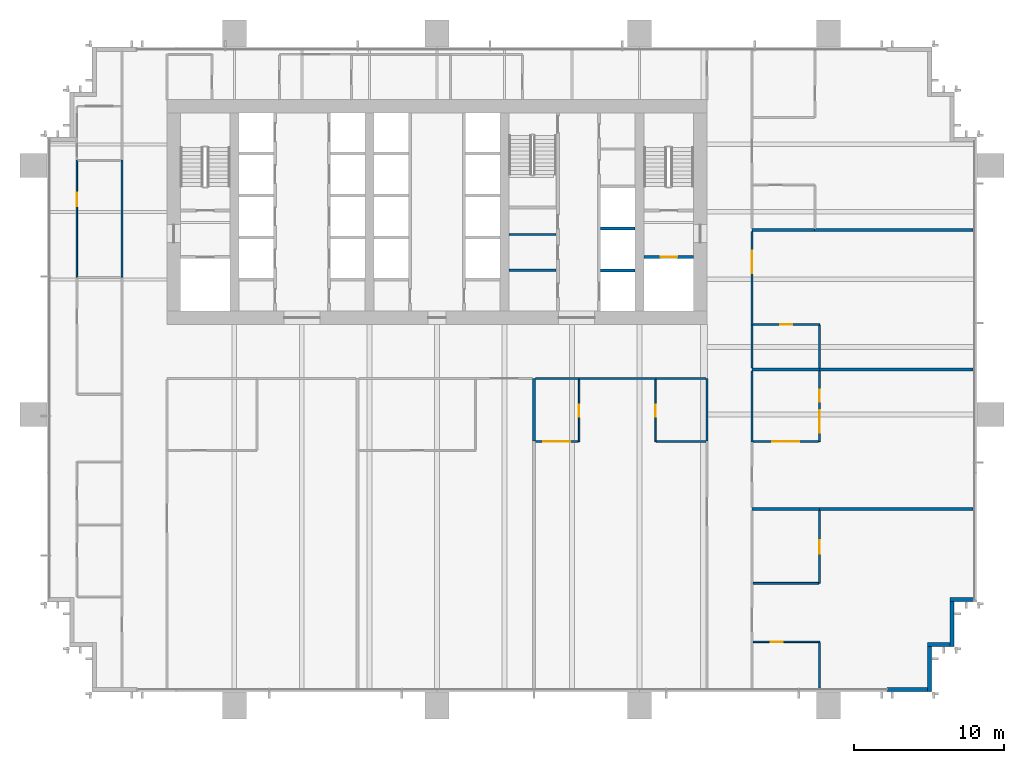
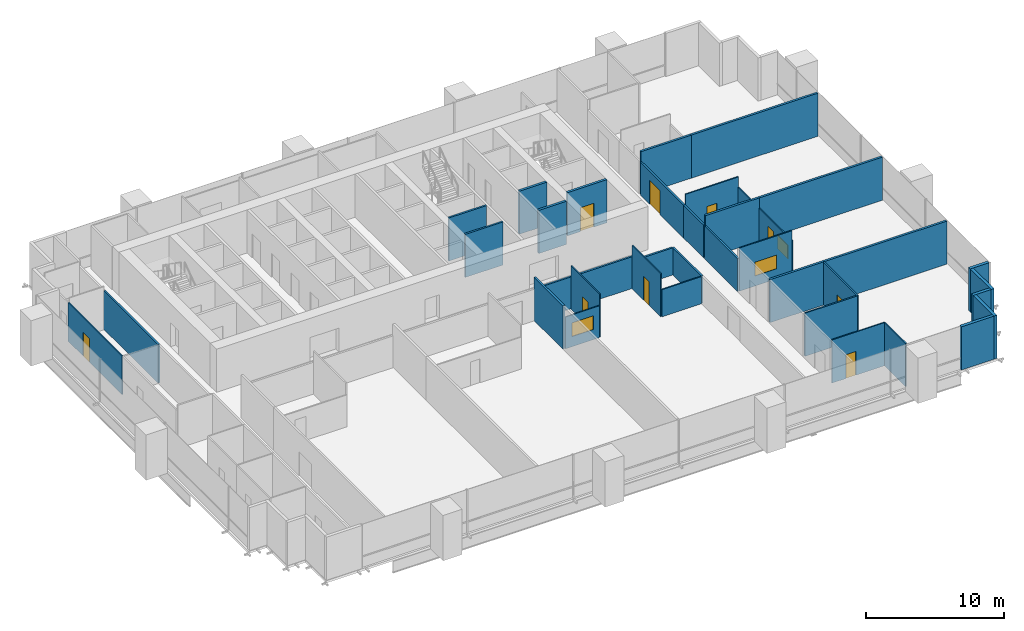
# One storey, part 13 of 17: 38 walls, 9 doors, 3 windows, 12 openings.
"""IFC4 building model written with IfcOpenShell, lengths in metres."""

from ifc_helpers import new_model, si_unit, direction, frame, frame_2d, origin, place, context, subcontext, project, spatial, rectangle, extrude, material, layer, layer_set, type_object, element, fill, save


model = new_model("IFC4")

# Units and contexts
model_context = context("Model", 3, precision=1e-05, world=origin(), true_north=direction((0.0, 1.0)))
body_context = subcontext(model_context, "Body", "Model", "MODEL_VIEW")
ifc_project = project(units=[si_unit("LENGTHUNIT", "METRE"), si_unit("AREAUNIT", "SQUARE_METRE"), si_unit("VOLUMEUNIT", "CUBIC_METRE"), si_unit("PLANEANGLEUNIT", "RADIAN"), si_unit("MASSUNIT", "GRAM", prefix="KILO")], contexts=[model_context])

# Site, building, storey
site_placement = place(None, origin())
site = spatial("IfcSite", under=ifc_project, at=site_placement, CompositionType="ELEMENT")
building_placement = place(site_placement, origin())
building = spatial("IfcBuilding", under=site, at=building_placement, Name="Rattan Terrace Tower", CompositionType="ELEMENT")
storey_placement = place(building_placement, frame((0.0, 0.0, 107.699951171875)))
storey = spatial("IfcBuildingStorey", under=building, at=storey_placement, Name="L24", CompositionType="ELEMENT", Elevation=107.699951171875)

# Walls
ifc_material_1 = material(Name="Gypsum board partition")
ifc_layer_1 = layer(ifc_material_1, 0.14990234375)
ifc_layer_set_1 = layer_set([ifc_layer_1], Name="Core partition 150")
wall_type_1 = type_object("IfcWallType", Name="Core partition 150", PredefinedType="PARTITIONING", material=ifc_layer_set_1)
for number, where, z_axis, x_axis, name in (
    (1, (4.800048828125, -3.8798828125, 0.0), (0.0, 0.0, 1.0), (1.0, 0.0, 0.0), "Toilet wall"),
    (2, (4.800048828125, -1.5, 0.0), (0.0, 0.0, 1.0), (1.0, 0.0, 0.0), "Toilet wall"),
):
    element("IfcWall", number, at=place(storey_placement, frame(where, z_axis=z_axis, x_axis=x_axis)), inside=storey, type_object=wall_type_1, Name=name, PredefinedType="PARTITIONING", context=body_context, shape_type="SweptSolid", body=[
        extrude(rectangle(XDim=3.14990234375, YDim=0.14990234375, at=frame_2d((1.574951171875, 0.0))), origin(), (0.0, 0.0, 1.0), 3.800048828125),
    ])

# Wall, opening, door
ifc_material_2 = material(Name="Gypsum board partition")
ifc_layer_2 = layer(ifc_material_2, 0.199951171875)
ifc_layer_set_2 = layer_set([ifc_layer_2], Name="Core partition 200")
wall_type_2 = type_object("IfcWallType", Name="Core partition 200", PredefinedType="PARTITIONING", material=ifc_layer_set_2)
wall_1_placement = place(storey_placement, frame((13.800048828125, -3.0, 0.0), z_axis=(0.0, 0.0, 1.0), x_axis=(1.0, 0.0, 0.0)))
wall_1 = element("IfcWall", 3, at=wall_1_placement, inside=storey, type_object=wall_type_2, Name="Fire-fighting lobby wall", PredefinedType="PARTITIONING", context=body_context, shape_type="SweptSolid", body=[
    extrude(rectangle(XDim=3.300048828125, YDim=0.199951171875, at=frame_2d((1.64990234375, 0.0))), origin(), (0.0, 0.0, 1.0), 3.800048828125),
])
opening_1_placement = place(wall_1_placement, frame((1.10009765625, 0.0, 0.0)))
opening_1 = element("IfcOpeningElement", 4, at=opening_1_placement, cuts=wall_1, Name="Opening L24-LD-FF2", PredefinedType="OPENING", context=body_context, shape_type="SweptSolid", body=[
    extrude(rectangle(XDim=1.10009765625, YDim=2.10009765625, at=frame_2d((0.550048828125, 1.050048828125))), frame((0.0, 0.110595703125, 0.0), z_axis=(0.0, -1.0, 0.0), x_axis=(1.0, 0.0, 0.0)), (0.0, 0.0, 1.0), 0.220947265625),
])
ifc_material_3 = material(Name="Brushed stainless landing door panel")
door_type_1 = type_object("IfcDoorType", Name="Core lift landing door 1100", OperationType="DOUBLE_DOOR_SLIDING", PredefinedType="DOOR", material=ifc_material_3)
door_1_placement = place(opening_1_placement, origin())
door_1 = element("IfcDoor", 5, at=door_1_placement, inside=storey, type_object=door_type_1, Name="Door L24-LD-FF2", OperationType="DOUBLE_DOOR_SLIDING", OverallHeight=2.10009765625, OverallWidth=1.10009765625, PredefinedType="DOOR", context=body_context, shape_type="SweptSolid", body=[
    extrude(rectangle(XDim=1.10009765625, YDim=2.10009765625, at=frame_2d((0.550048828125, 1.050048828125))), frame((0.0, 0.02490234375, 0.0), z_axis=(0.0, -1.0, 0.0), x_axis=(1.0, 0.0, 0.0)), (0.0, 0.0, 1.0), 0.050048828125),
])
fill(opening_1, door_1)

# Walls
ifc_material_4 = material(Name="Insulated aluminium-clad stud wall", Category="aluminium")
ifc_layer_3 = layer(ifc_material_4, 0.25)
ifc_layer_set_3 = layer_set([ifc_layer_3], Name="Facade Riser Wall 250")
wall_type_3 = type_object("IfcWallType", Name="Facade Riser Wall 250", PredefinedType="SOLIDWALL", material=ifc_layer_set_3)
wall_2_placement = place(storey_placement, frame((30.0, -31.830078125, 0.0), z_axis=(0.0, 0.0, 1.0), x_axis=(1.0, 0.0, 0.0)))
element("IfcWall", 6, at=wall_2_placement, inside=storey, type_object=wall_type_3, Name="Riser wall L24-1", PredefinedType="SOLIDWALL", context=body_context, shape_type="SweptSolid", body=[
    extrude(rectangle(XDim=2.705078125, YDim=0.25, at=frame_2d((1.3525390625, 0.0))), origin(), (0.0, 0.0, 1.0), 3.800048828125),
])
wall_3_placement = place(storey_placement, frame((32.830078125, -31.955078125, 0.0), z_axis=(0.0, 0.0, 1.0), x_axis=(0.0, 1.0, 0.0)))
element("IfcWall", 7, at=wall_3_placement, inside=storey, type_object=wall_type_3, Name="Riser wall L24-2", PredefinedType="SOLIDWALL", context=body_context, shape_type="SweptSolid", body=[
    extrude(rectangle(XDim=3.0, YDim=0.25, at=frame_2d((1.5, 0.0))), origin(), (0.0, 0.0, 1.0), 3.800048828125),
])
wall_4_placement = place(storey_placement, frame((32.705078125, -28.830078125, 0.0), z_axis=(0.0, 0.0, 1.0), x_axis=(1.0, 0.0, 0.0)))
element("IfcWall", 8, at=wall_4_placement, inside=storey, type_object=wall_type_3, Name="Riser wall L24-3", PredefinedType="SOLIDWALL", context=body_context, shape_type="SweptSolid", body=[
    extrude(rectangle(XDim=1.5, YDim=0.25, at=frame_2d((0.75, 0.0))), origin(), (0.0, 0.0, 1.0), 3.800048828125),
])
wall_5_placement = place(storey_placement, frame((34.330078125, -28.955078125, 0.0), z_axis=(0.0, 0.0, 1.0), x_axis=(0.0, 1.0, 0.0)))
element("IfcWall", 9, at=wall_5_placement, inside=storey, type_object=wall_type_3, Name="Riser wall L24-4", PredefinedType="SOLIDWALL", context=body_context, shape_type="SweptSolid", body=[
    extrude(rectangle(XDim=3.0, YDim=0.25, at=frame_2d((1.5, 0.0))), origin(), (0.0, 0.0, 1.0), 3.800048828125),
])
wall_6_placement = place(storey_placement, frame((34.205078125, -25.830078125, 0.0), z_axis=(0.0, 0.0, 1.0), x_axis=(1.0, 0.0, 0.0)))
element("IfcWall", 10, at=wall_6_placement, inside=storey, type_object=wall_type_3, Name="Riser wall L24-5", PredefinedType="SOLIDWALL", context=body_context, shape_type="SweptSolid", body=[
    extrude(rectangle(XDim=1.544921875, YDim=0.25, at=frame_2d((0.7724609375, 0.0))), origin(), (0.0, 0.0, 1.0), 3.800048828125),
])
ifc_material_5 = material(Name="Double steel stud acoustic partition, gypsum board, mineral wool, fire rated", Category="steel")
ifc_layer_4 = layer(ifc_material_5, 0.179931640625)
ifc_layer_set_4 = layer_set([ifc_layer_4], Name="Floors Acoustic Party Wall 180")
wall_type_4 = type_object("IfcWallType", Name="Floors Acoustic Party Wall 180", PredefinedType="PARTITIONING", material=ifc_layer_set_4)
wall_7_placement = place(storey_placement, frame((25.5, -19.800048828125, 0.0), z_axis=(0.0, 0.0, 1.0), x_axis=(1.0, 0.0, 0.0)))
element("IfcWall", 11, at=wall_7_placement, inside=storey, type_object=wall_type_4, Name="pt-L24-048", PredefinedType="PARTITIONING", context=body_context, shape_type="SweptSolid", body=[
    extrude(rectangle(XDim=10.239990234375, YDim=0.179931640625, at=frame_2d((5.1201171875, 0.0))), origin(), (0.0, 0.0, 1.0), 3.800048828125),
])
wall_8_placement = place(storey_placement, frame((21.0, -19.800048828125, 0.0), z_axis=(0.0, 0.0, 1.0), x_axis=(1.0, 0.0, 0.0)))
element("IfcWall", 12, at=wall_8_placement, inside=storey, type_object=wall_type_4, Name="pt-L24-049", PredefinedType="PARTITIONING", context=body_context, shape_type="SweptSolid", body=[
    extrude(rectangle(XDim=4.5, YDim=0.179931640625, at=frame_2d((2.25, 0.0))), origin(), (0.0, 0.0, 1.0), 3.800048828125),
])
wall_9_placement = place(storey_placement, frame((25.5, -10.5, 0.0), z_axis=(0.0, 0.0, 1.0), x_axis=(1.0, 0.0, 0.0)))
element("IfcWall", 13, at=wall_9_placement, inside=storey, type_object=wall_type_4, Name="pt-L24-052", PredefinedType="PARTITIONING", context=body_context, shape_type="SweptSolid", body=[
    extrude(rectangle(XDim=10.239990234375, YDim=0.179931640625, at=frame_2d((5.1201171875, 0.0))), origin(), (0.0, 0.0, 1.0), 3.800048828125),
])
wall_10_placement = place(storey_placement, frame((21.0, -10.5, 0.0), z_axis=(0.0, 0.0, 1.0), x_axis=(1.0, 0.0, 0.0)))
element("IfcWall", 14, at=wall_10_placement, inside=storey, type_object=wall_type_4, Name="pt-L24-053", PredefinedType="PARTITIONING", context=body_context, shape_type="SweptSolid", body=[
    extrude(rectangle(XDim=4.5, YDim=0.179931640625, at=frame_2d((2.25, 0.0))), origin(), (0.0, 0.0, 1.0), 3.800048828125),
])
wall_11_placement = place(storey_placement, frame((25.179931640625, -1.199951171875, 0.0), z_axis=(0.0, 0.0, 1.0), x_axis=(1.0, 0.0, 0.0)))
element("IfcWall", 15, at=wall_11_placement, inside=storey, type_object=wall_type_4, Name="pt-L24-056", PredefinedType="PARTITIONING", context=body_context, shape_type="SweptSolid", body=[
    extrude(rectangle(XDim=10.56005859375, YDim=0.179931640625, at=frame_2d((5.280029296875, 0.0))), origin(), (0.0, 0.0, 1.0), 3.800048828125),
])
for number, where, z_axis, x_axis, name in (
    (16, (21.0, -1.199951171875, 0.0), (0.0, 0.0, 1.0), (1.0, 0.0, 0.0), "pt-L24-057"),
    (17, (6.470947265625, -11.10009765625, 0.0), (0.0, 0.0, 1.0), (0.0, -1.0, 0.0), "pt-L24-078"),
):
    element("IfcWall", number, at=place(storey_placement, frame(where, z_axis=z_axis, x_axis=x_axis)), inside=storey, type_object=wall_type_4, Name=name, PredefinedType="PARTITIONING", context=body_context, shape_type="SweptSolid", body=[
        extrude(rectangle(XDim=4.179931640625, YDim=0.179931640625, at=frame_2d((2.08984375, 0.0))), origin(), (0.0, 0.0, 1.0), 3.800048828125),
    ])

# Wall, opening, door
ifc_material_6 = material(Name="Gypsum board partition on steel studs", Category="steel")
ifc_layer_5 = layer(ifc_material_6, 0.10009765625)
ifc_layer_set_5 = layer_set([ifc_layer_5], Name="Floors Partition 100")
wall_type_5 = type_object("IfcWallType", Name="Floors Partition 100", PredefinedType="PARTITIONING", material=ifc_layer_set_5)
wall_12_placement = place(storey_placement, frame((-24.0, 3.4599609375, 0.0), z_axis=(0.0, 0.0, 1.0), x_axis=(0.0, -1.0, 0.0)))
wall_12 = element("IfcWall", 18, at=wall_12_placement, inside=storey, type_object=wall_type_5, Name="pt-L24-038", PredefinedType="PARTITIONING", context=body_context, shape_type="SweptSolid", body=[
    extrude(rectangle(XDim=7.800048828125, YDim=0.10009765625, at=frame_2d((3.89990234375, 0.0))), origin(), (0.0, 0.0, 1.0), 3.400146484375),
])
opening_2_placement = place(wall_12_placement, frame((2.169921875, 0.0, 0.0)))
opening_2 = element("IfcOpeningElement", 19, at=opening_2_placement, cuts=wall_12, Name="Opening L24-D104", PredefinedType="OPENING", context=body_context, shape_type="SweptSolid", body=[
    extrude(rectangle(XDim=0.89990234375, YDim=2.10009765625, at=frame_2d((0.449951171875, 1.050048828125))), frame((0.0, 0.060546875, 0.0), z_axis=(0.0, -1.0, 0.0), x_axis=(1.0, 0.0, 0.0)), (0.0, 0.0, 1.0), 0.12109375),
])
ifc_material_7 = material(Name="Solid core timber door, painted", Category="wood")
door_type_2 = type_object("IfcDoorType", Name="Floors Door 900x2100", OperationType="NOTDEFINED", PredefinedType="DOOR", material=ifc_material_7)
door_2_placement = place(opening_2_placement, origin())
door_2 = element("IfcDoor", 20, at=door_2_placement, inside=storey, type_object=door_type_2, Name="d-L24-104", OperationType="SINGLE_SWING_LEFT", OverallHeight=2.10009765625, OverallWidth=0.89990234375, PredefinedType="DOOR", context=body_context, shape_type="SweptSolid", body=[
    extrude(rectangle(XDim=0.89990234375, YDim=2.10009765625, at=frame_2d((0.449951171875, 1.050048828125))), frame((0.0, 0.02490234375, 0.0), z_axis=(0.0, -1.0, 0.0), x_axis=(1.0, 0.0, 0.0)), (0.0, 0.0, 1.0), 0.050048828125),
])
fill(opening_2, door_2)

wall_13_placement = place(storey_placement, frame((25.5, -28.659912109375, 0.0), z_axis=(0.0, 0.0, 1.0), x_axis=(-1.0, 0.0, 0.0)))
wall_13 = element("IfcWall", 21, at=wall_13_placement, inside=storey, type_object=wall_type_5, Name="pt-L24-044", PredefinedType="PARTITIONING", context=body_context, shape_type="SweptSolid", body=[
    extrude(rectangle(XDim=4.425048828125, YDim=0.10009765625, at=frame_2d((2.21240234375, 0.0))), origin(), (0.0, 0.0, 1.0), 3.800048828125),
])
opening_3_placement = place(wall_13_placement, frame((2.43798828125, 0.0, 0.0)))
opening_3 = element("IfcOpeningElement", 22, at=opening_3_placement, cuts=wall_13, Name="Opening L24-D107", PredefinedType="OPENING", context=body_context, shape_type="SweptSolid", body=[
    extrude(rectangle(XDim=0.800048828125, YDim=2.10009765625, at=frame_2d((0.39990234375, 1.050048828125))), frame((0.0, 0.060546875, 0.0), z_axis=(0.0, -1.0, 0.0), x_axis=(1.0, 0.0, 0.0)), (0.0, 0.0, 1.0), 0.12109375),
])
ifc_material_8 = material(Name="Solid core timber door, painted", Category="wood")
door_type_3 = type_object("IfcDoorType", Name="Floors Store Door 800x2100", OperationType="NOTDEFINED", PredefinedType="DOOR", material=ifc_material_8)
door_3_placement = place(opening_3_placement, origin())
door_3 = element("IfcDoor", 23, at=door_3_placement, inside=storey, type_object=door_type_3, Name="d-L24-107", OperationType="SINGLE_SWING_RIGHT", OverallHeight=2.10009765625, OverallWidth=0.800048828125, PredefinedType="DOOR", context=body_context, shape_type="SweptSolid", body=[
    extrude(rectangle(XDim=0.800048828125, YDim=2.10009765625, at=frame_2d((0.39990234375, 1.050048828125))), frame((0.0, 0.02490234375, 0.0), z_axis=(0.0, -1.0, 0.0), x_axis=(1.0, 0.0, 0.0)), (0.0, 0.0, 1.0), 0.050048828125),
])
fill(opening_3, door_3)

# Wall
wall_14_placement = place(storey_placement, frame((25.5, -31.739990234375, 0.0), z_axis=(0.0, 0.0, 1.0), x_axis=(0.0, 1.0, 0.0)))
element("IfcWall", 24, at=wall_14_placement, inside=storey, type_object=wall_type_5, Name="pt-L24-045", PredefinedType="PARTITIONING", context=body_context, shape_type="SweptSolid", body=[
    extrude(rectangle(XDim=3.030029296875, YDim=0.10009765625, at=frame_2d((1.51513671875, 0.0))), origin(), (0.0, 0.0, 1.0), 3.800048828125),
])

# Wall, opening, window
wall_15_placement = place(storey_placement, frame((21.074951171875, -15.300048828125, 0.0), z_axis=(0.0, 0.0, 1.0), x_axis=(1.0, 0.0, 0.0)))
wall_15 = element("IfcWall", 25, at=wall_15_placement, inside=storey, type_object=wall_type_5, Name="pt-L24-050", PredefinedType="PARTITIONING", context=body_context, shape_type="SweptSolid", body=[
    extrude(rectangle(XDim=4.375, YDim=0.10009765625, at=frame_2d((2.1875, 0.0))), origin(), (0.0, 0.0, 1.0), 3.800048828125),
])
opening_4_placement = place(wall_15_placement, frame((1.2880859375, 0.0, 0.89990234375)))
opening_4 = element("IfcOpeningElement", 26, at=opening_4_placement, cuts=wall_15, Name="Opening L24-W102", PredefinedType="OPENING", context=body_context, shape_type="SweptSolid", body=[
    extrude(rectangle(XDim=1.800048828125, YDim=1.199951171875, at=frame_2d((0.89990234375, 0.60009765625))), frame((0.0, 0.060546875, 0.0), z_axis=(0.0, -1.0, 0.0), x_axis=(1.0, 0.0, 0.0)), (0.0, 0.0, 1.0), 0.12109375),
])
ifc_material_9 = material(Name="Glass, clear, fixed in aluminium frame", Category="aluminium")
window_type_1 = type_object("IfcWindowType", Name="Interior Vision Window 1800x1200", PartitioningType="SINGLE_PANEL", PredefinedType="WINDOW", material=ifc_material_9)
window_1_placement = place(opening_4_placement, origin())
window_1 = element("IfcWindow", 27, at=window_1_placement, inside=storey, type_object=window_type_1, Name="w-L24-102", OverallHeight=1.199951171875, OverallWidth=1.800048828125, PartitioningType="SINGLE_PANEL", PredefinedType="WINDOW", context=body_context, shape_type="SweptSolid", body=[
    extrude(rectangle(XDim=1.800048828125, YDim=1.199951171875, at=frame_2d((0.89990234375, 0.60009765625))), frame((0.0, 0.030029296875, 0.0), z_axis=(0.0, -1.0, 0.0), x_axis=(1.0, 0.0, 0.0)), (0.0, 0.0, 1.0), 0.06005859375),
])
fill(opening_4, window_1)

# Wall, openings, door, window
wall_16_placement = place(storey_placement, frame((25.5, -15.300048828125, 0.0), z_axis=(0.0, 0.0, 1.0), x_axis=(0.0, 1.0, 0.0)))
wall_16 = element("IfcWall", 28, at=wall_16_placement, inside=storey, type_object=wall_type_5, Name="pt-L24-051", PredefinedType="PARTITIONING", context=body_context, shape_type="SweptSolid", body=[
    extrude(rectangle(XDim=4.7099609375, YDim=0.10009765625, at=frame_2d((2.35498046875, 0.0))), origin(), (0.0, 0.0, 1.0), 2.900146484375),
])
opening_5_placement = place(wall_16_placement, frame((2.636962890625, 0.0, 0.0)))
opening_5 = element("IfcOpeningElement", 29, at=opening_5_placement, cuts=wall_16, Name="Opening L24-D110", PredefinedType="OPENING", context=body_context, shape_type="SweptSolid", body=[
    extrude(rectangle(XDim=0.800048828125, YDim=2.10009765625, at=frame_2d((0.39990234375, 1.050048828125))), frame((0.0, 0.060546875, 0.0), z_axis=(0.0, -1.0, 0.0), x_axis=(1.0, 0.0, 0.0)), (0.0, 0.0, 1.0), 0.12109375),
])
opening_6_placement = place(wall_16_placement, frame((0.593017578125, 0.0, 0.89990234375)))
opening_6 = element("IfcOpeningElement", 30, at=opening_6_placement, cuts=wall_16, Name="Opening L24-W103", PredefinedType="OPENING", context=body_context, shape_type="SweptSolid", body=[
    extrude(rectangle(XDim=1.5, YDim=1.199951171875, at=frame_2d((0.75, 0.60009765625))), frame((0.0, 0.060546875, 0.0), z_axis=(0.0, -1.0, 0.0), x_axis=(1.0, 0.0, 0.0)), (0.0, 0.0, 1.0), 0.12109375),
])
door_4_placement = place(opening_5_placement, origin())
door_4 = element("IfcDoor", 31, at=door_4_placement, inside=storey, type_object=door_type_3, Name="d-L24-110", OperationType="SINGLE_SWING_RIGHT", OverallHeight=2.10009765625, OverallWidth=0.800048828125, PredefinedType="DOOR", context=body_context, shape_type="SweptSolid", body=[
    extrude(rectangle(XDim=0.800048828125, YDim=2.10009765625, at=frame_2d((0.39990234375, 1.050048828125))), frame((0.0, 0.02490234375, 0.0), z_axis=(0.0, -1.0, 0.0), x_axis=(1.0, 0.0, 0.0)), (0.0, 0.0, 1.0), 0.050048828125),
])
fill(opening_5, door_4)
ifc_material_10 = material(Name="Glass, clear, fixed in aluminium frame", Category="aluminium")
window_type_2 = type_object("IfcWindowType", Name="Interior Vision Window 1500x1200", PartitioningType="SINGLE_PANEL", PredefinedType="WINDOW", material=ifc_material_10)
window_2_placement = place(opening_6_placement, origin())
window_2 = element("IfcWindow", 32, at=window_2_placement, inside=storey, type_object=window_type_2, Name="w-L24-103", OverallHeight=1.199951171875, OverallWidth=1.5, PartitioningType="SINGLE_PANEL", PredefinedType="WINDOW", context=body_context, shape_type="SweptSolid", body=[
    extrude(rectangle(XDim=1.5, YDim=1.199951171875, at=frame_2d((0.75, 0.60009765625))), frame((0.0, 0.030029296875, 0.0), z_axis=(0.0, -1.0, 0.0), x_axis=(1.0, 0.0, 0.0)), (0.0, 0.0, 1.0), 0.06005859375),
])
fill(opening_6, window_2)

# Wall, opening, door
wall_17_placement = place(storey_placement, frame((25.5, -7.5, 0.0), z_axis=(0.0, 0.0, 1.0), x_axis=(-1.0, 0.0, 0.0)))
wall_17 = element("IfcWall", 33, at=wall_17_placement, inside=storey, type_object=wall_type_5, Name="pt-L24-054", PredefinedType="PARTITIONING", context=body_context, shape_type="SweptSolid", body=[
    extrude(rectangle(XDim=4.425048828125, YDim=0.10009765625, at=frame_2d((2.21240234375, 0.0))), origin(), (0.0, 0.0, 1.0), 3.800048828125),
])
opening_7_placement = place(wall_17_placement, frame((1.81298828125, 0.0, 0.0)))
opening_7 = element("IfcOpeningElement", 34, at=opening_7_placement, cuts=wall_17, Name="Opening L24-D112", PredefinedType="OPENING", context=body_context, shape_type="SweptSolid", body=[
    extrude(rectangle(XDim=0.800048828125, YDim=2.10009765625, at=frame_2d((0.39990234375, 1.050048828125))), frame((0.0, 0.060546875, 0.0), z_axis=(0.0, -1.0, 0.0), x_axis=(1.0, 0.0, 0.0)), (0.0, 0.0, 1.0), 0.12109375),
])
door_5_placement = place(opening_7_placement, origin())
door_5 = element("IfcDoor", 35, at=door_5_placement, inside=storey, type_object=door_type_3, Name="d-L24-112", OperationType="SINGLE_SWING_LEFT", OverallHeight=2.10009765625, OverallWidth=0.800048828125, PredefinedType="DOOR", context=body_context, shape_type="SweptSolid", body=[
    extrude(rectangle(XDim=0.800048828125, YDim=2.10009765625, at=frame_2d((0.39990234375, 1.050048828125))), frame((0.0, 0.02490234375, 0.0), z_axis=(0.0, -1.0, 0.0), x_axis=(1.0, 0.0, 0.0)), (0.0, 0.0, 1.0), 0.050048828125),
])
fill(opening_7, door_5)

# Wall
wall_18_placement = place(storey_placement, frame((25.5, -10.409912109375, 0.0), z_axis=(0.0, 0.0, 1.0), x_axis=(0.0, 1.0, 0.0)))
element("IfcWall", 36, at=wall_18_placement, inside=storey, type_object=wall_type_5, Name="pt-L24-055", PredefinedType="PARTITIONING", context=body_context, shape_type="SweptSolid", body=[
    extrude(rectangle(XDim=2.85986328125, YDim=0.10009765625, at=frame_2d((1.429931640625, 0.0))), origin(), (0.0, 0.0, 1.0), 2.900146484375),
])

# Wall, opening, window
wall_19_placement = place(storey_placement, frame((6.56103515625, -15.300048828125, 0.0), z_axis=(0.0, 0.0, 1.0), x_axis=(1.0, 0.0, 0.0)))
wall_19 = element("IfcWall", 37, at=wall_19_placement, inside=storey, type_object=wall_type_5, Name="pt-L24-079", PredefinedType="PARTITIONING", context=body_context, shape_type="SweptSolid", body=[
    extrude(rectangle(XDim=2.85986328125, YDim=0.10009765625, at=frame_2d((1.429931640625, 0.0))), origin(), (0.0, 0.0, 1.0), 2.800048828125),
])
opening_8_placement = place(wall_19_placement, frame((0.530029296875, 0.0, 0.89990234375)))
opening_8 = element("IfcOpeningElement", 38, at=opening_8_placement, cuts=wall_19, Name="Opening L24-W105", PredefinedType="OPENING", context=body_context, shape_type="SweptSolid", body=[
    extrude(rectangle(XDim=1.800048828125, YDim=1.199951171875, at=frame_2d((0.89990234375, 0.60009765625))), frame((0.0, 0.060546875, 0.0), z_axis=(0.0, -1.0, 0.0), x_axis=(1.0, 0.0, 0.0)), (0.0, 0.0, 1.0), 0.12109375),
])
window_3_placement = place(opening_8_placement, origin())
window_3 = element("IfcWindow", 39, at=window_3_placement, inside=storey, type_object=window_type_1, Name="w-L24-105", OverallHeight=1.199951171875, OverallWidth=1.800048828125, PartitioningType="SINGLE_PANEL", PredefinedType="WINDOW", context=body_context, shape_type="SweptSolid", body=[
    extrude(rectangle(XDim=1.800048828125, YDim=1.199951171875, at=frame_2d((0.89990234375, 0.60009765625))), frame((0.0, 0.030029296875, 0.0), z_axis=(0.0, -1.0, 0.0), x_axis=(1.0, 0.0, 0.0)), (0.0, 0.0, 1.0), 0.06005859375),
])
fill(opening_8, window_3)

# Wall, opening, door
wall_20_placement = place(storey_placement, frame((9.470947265625, -15.300048828125, 0.0), z_axis=(0.0, 0.0, 1.0), x_axis=(0.0, 1.0, 0.0)))
wall_20 = element("IfcWall", 40, at=wall_20_placement, inside=storey, type_object=wall_type_5, Name="pt-L24-080", PredefinedType="PARTITIONING", context=body_context, shape_type="SweptSolid", body=[
    extrude(rectangle(XDim=4.125, YDim=0.10009765625, at=frame_2d((2.0625, 0.0))), origin(), (0.0, 0.0, 1.0), 3.800048828125),
])
opening_9_placement = place(wall_20_placement, frame((1.6630859375, 0.0, 0.0)))
opening_9 = element("IfcOpeningElement", 41, at=opening_9_placement, cuts=wall_20, Name="Opening L24-D126", PredefinedType="OPENING", context=body_context, shape_type="SweptSolid", body=[
    extrude(rectangle(XDim=0.800048828125, YDim=2.10009765625, at=frame_2d((0.39990234375, 1.050048828125))), frame((0.0, 0.060546875, 0.0), z_axis=(0.0, -1.0, 0.0), x_axis=(1.0, 0.0, 0.0)), (0.0, 0.0, 1.0), 0.12109375),
])
door_6_placement = place(opening_9_placement, origin())
door_6 = element("IfcDoor", 42, at=door_6_placement, inside=storey, type_object=door_type_3, Name="d-L24-126", OperationType="SINGLE_SWING_LEFT", OverallHeight=2.10009765625, OverallWidth=0.800048828125, PredefinedType="DOOR", context=body_context, shape_type="SweptSolid", body=[
    extrude(rectangle(XDim=0.800048828125, YDim=2.10009765625, at=frame_2d((0.39990234375, 1.050048828125))), frame((0.0, 0.02490234375, 0.0), z_axis=(0.0, -1.0, 0.0), x_axis=(1.0, 0.0, 0.0)), (0.0, 0.0, 1.0), 0.050048828125),
])
fill(opening_9, door_6)

wall_21_placement = place(storey_placement, frame((14.571044921875, -11.175048828125, 0.0), z_axis=(0.0, 0.0, 1.0), x_axis=(0.0, -1.0, 0.0)))
wall_21 = element("IfcWall", 43, at=wall_21_placement, inside=storey, type_object=wall_type_5, Name="pt-L24-081", PredefinedType="PARTITIONING", context=body_context, shape_type="SweptSolid", body=[
    extrude(rectangle(XDim=4.125, YDim=0.10009765625, at=frame_2d((2.0625, 0.0))), origin(), (0.0, 0.0, 1.0), 3.800048828125),
])
opening_10_placement = place(wall_21_placement, frame((1.6630859375, 0.0, 0.0)))
opening_10 = element("IfcOpeningElement", 44, at=opening_10_placement, cuts=wall_21, Name="Opening L24-D127", PredefinedType="OPENING", context=body_context, shape_type="SweptSolid", body=[
    extrude(rectangle(XDim=0.800048828125, YDim=2.10009765625, at=frame_2d((0.39990234375, 1.050048828125))), frame((0.0, 0.060546875, 0.0), z_axis=(0.0, -1.0, 0.0), x_axis=(1.0, 0.0, 0.0)), (0.0, 0.0, 1.0), 0.12109375),
])
door_7_placement = place(opening_10_placement, origin())
door_7 = element("IfcDoor", 45, at=door_7_placement, inside=storey, type_object=door_type_3, Name="d-L24-127", OperationType="SINGLE_SWING_RIGHT", OverallHeight=2.10009765625, OverallWidth=0.800048828125, PredefinedType="DOOR", context=body_context, shape_type="SweptSolid", body=[
    extrude(rectangle(XDim=0.800048828125, YDim=2.10009765625, at=frame_2d((0.39990234375, 1.050048828125))), frame((0.0, 0.02490234375, 0.0), z_axis=(0.0, -1.0, 0.0), x_axis=(1.0, 0.0, 0.0)), (0.0, 0.0, 1.0), 0.050048828125),
])
fill(opening_10, door_7)

# Walls
wall_22_placement = place(storey_placement, frame((14.62109375, -15.300048828125, 0.0), z_axis=(0.0, 0.0, 1.0), x_axis=(1.0, 0.0, 0.0)))
element("IfcWall", 46, at=wall_22_placement, inside=storey, type_object=wall_type_5, Name="pt-L24-082", PredefinedType="PARTITIONING", context=body_context, shape_type="SweptSolid", body=[
    extrude(rectangle(XDim=3.303955078125, YDim=0.10009765625, at=frame_2d((1.65185546875, 0.0))), origin(), (0.0, 0.0, 1.0), 2.400146484375),
])
ifc_material_11 = material(Name="Gypsum board partition on steel studs, fire rated", Category="steel")
ifc_layer_6 = layer(ifc_material_11, 0.14990234375)
ifc_layer_set_6 = layer_set([ifc_layer_6], Name="Floors Tenancy Wall 150")
wall_type_6 = type_object("IfcWallType", Name="Floors Tenancy Wall 150", PredefinedType="PARTITIONING", material=ifc_layer_set_6)
wall_23_placement = place(storey_placement, frame((-21.0, -4.3798828125, 0.0), z_axis=(0.0, 0.0, 1.0), x_axis=(0.0, 1.0, 0.0)))
element("IfcWall", 47, at=wall_23_placement, inside=storey, type_object=wall_type_6, Name="pt-L24-007", PredefinedType="PARTITIONING", context=body_context, shape_type="SweptSolid", body=[
    extrude(rectangle(XDim=7.83984375, YDim=0.14990234375, at=frame_2d((3.919921875, 0.0))), origin(), (0.0, 0.0, 1.0), 3.400146484375),
])
wall_24_placement = place(storey_placement, frame((21.0, -10.590087890625, 0.0), z_axis=(0.0, 0.0, 1.0), x_axis=(0.0, -1.0, 0.0)))
element("IfcWall", 48, at=wall_24_placement, inside=storey, type_object=wall_type_6, Name="pt-L24-013", PredefinedType="PARTITIONING", context=body_context, shape_type="SweptSolid", body=[
    extrude(rectangle(XDim=4.72998046875, YDim=0.14990234375, at=frame_2d((2.364990234375, 0.0))), origin(), (0.0, 0.0, 1.0), 2.900146484375),
])

# Wall, opening, door
wall_25_placement = place(storey_placement, frame((21.0, -1.2900390625, 0.0), z_axis=(0.0, 0.0, 1.0), x_axis=(0.0, -1.0, 0.0)))
wall_25 = element("IfcWall", 49, at=wall_25_placement, inside=storey, type_object=wall_type_6, Name="pt-L24-014", PredefinedType="PARTITIONING", context=body_context, shape_type="SweptSolid", body=[
    extrude(rectangle(XDim=6.22998046875, YDim=0.14990234375, at=frame_2d((3.114990234375, 0.0))), origin(), (0.0, 0.0, 1.0), 2.900146484375),
])
opening_11_placement = place(wall_25_placement, frame((1.306884765625, 0.0, 0.0)))
opening_11 = element("IfcOpeningElement", 50, at=opening_11_placement, cuts=wall_25, Name="Opening L24-D111", PredefinedType="OPENING", context=body_context, shape_type="SweptSolid", body=[
    extrude(rectangle(XDim=1.5, YDim=2.10009765625, at=frame_2d((0.75, 1.050048828125))), frame((0.0, 0.08544921875, 0.0), z_axis=(0.0, -1.0, 0.0), x_axis=(1.0, 0.0, 0.0)), (0.0, 0.0, 1.0), 0.1708984375),
])
ifc_material_12 = material(Name="Steel fire door set", Category="steel")
door_type_4 = type_object("IfcDoorType", Name="Floors Unit Door Pair FD30S 1500x2100", OperationType="NOTDEFINED", PredefinedType="DOOR", material=ifc_material_12)
door_8_placement = place(opening_11_placement, origin())
door_8 = element("IfcDoor", 51, at=door_8_placement, inside=storey, type_object=door_type_4, Name="d-L24-111", OperationType="DOUBLE_DOOR_SINGLE_SWING", OverallHeight=2.10009765625, OverallWidth=1.5, PredefinedType="DOOR", context=body_context, shape_type="SweptSolid", body=[
    extrude(rectangle(XDim=1.5, YDim=2.10009765625, at=frame_2d((0.75, 1.050048828125))), frame((0.0, 0.02490234375, 0.0), z_axis=(0.0, -1.0, 0.0), x_axis=(1.0, 0.0, 0.0)), (0.0, 0.0, 1.0), 0.050048828125),
])
fill(opening_11, door_8)

# Walls
wall_26_placement = place(storey_placement, frame((21.0, -7.52001953125, 0.0), z_axis=(0.0, 0.0, 1.0), x_axis=(0.0, -1.0, 0.0)))
element("IfcWall", 52, at=wall_26_placement, inside=storey, type_object=wall_type_6, Name="pt-L24-015", PredefinedType="PARTITIONING", context=body_context, shape_type="SweptSolid", body=[
    extrude(rectangle(XDim=2.889892578125, YDim=0.14990234375, at=frame_2d((1.44482421875, 0.0))), origin(), (0.0, 0.0, 1.0), 2.900146484375),
])
wall_27_placement = place(storey_placement, frame((14.591064453125, -11.10009765625, 0.0), z_axis=(0.0, 0.0, 1.0), x_axis=(-1.0, 0.0, 0.0)))
element("IfcWall", 53, at=wall_27_placement, inside=storey, type_object=wall_type_6, Name="pt-L24-027", PredefinedType="PARTITIONING", context=body_context, shape_type="SweptSolid", body=[
    extrude(rectangle(XDim=5.14013671875, YDim=0.14990234375, at=frame_2d((2.570068359375, 0.0))), origin(), (0.0, 0.0, 1.0), 2.800048828125),
])
wall_28_placement = place(storey_placement, frame((9.450927734375, -11.10009765625, 0.0), z_axis=(0.0, 0.0, 1.0), x_axis=(-1.0, 0.0, 0.0)))
element("IfcWall", 54, at=wall_28_placement, inside=storey, type_object=wall_type_6, Name="pt-L24-029", PredefinedType="PARTITIONING", context=body_context, shape_type="SweptSolid", body=[
    extrude(rectangle(XDim=2.889892578125, YDim=0.14990234375, at=frame_2d((1.44482421875, 0.0))), origin(), (0.0, 0.0, 1.0), 2.800048828125),
])
wall_29_placement = place(storey_placement, frame((17.925048828125, -11.10009765625, 0.0), z_axis=(0.0, 0.0, 1.0), x_axis=(-1.0, 0.0, 0.0)))
element("IfcWall", 55, at=wall_29_placement, inside=storey, type_object=wall_type_6, Name="pt-L24-030", PredefinedType="PARTITIONING", context=body_context, shape_type="SweptSolid", body=[
    extrude(rectangle(XDim=3.333984375, YDim=0.14990234375, at=frame_2d((1.6669921875, 0.0))), origin(), (0.0, 0.0, 1.0), 2.400146484375),
])
wall_30_placement = place(storey_placement, frame((18.0, -15.280029296875, 0.0), z_axis=(0.0, 0.0, 1.0), x_axis=(0.0, 1.0, 0.0)))
element("IfcWall", 56, at=wall_30_placement, inside=storey, type_object=wall_type_6, Name="pt-L24-031", PredefinedType="PARTITIONING", context=body_context, shape_type="SweptSolid", body=[
    extrude(rectangle(XDim=4.179931640625, YDim=0.14990234375, at=frame_2d((2.08984375, 0.0))), origin(), (0.0, 0.0, 1.0), 2.400146484375),
])
ifc_material_13 = material(Name="Moisture resistant gypsum board partition on steel studs with service cavity", Category="steel")
ifc_layer_7 = layer(ifc_material_13, 0.1201171875)
ifc_layer_set_7 = layer_set([ifc_layer_7], Name="Floors Wet Wall 120")
wall_type_7 = type_object("IfcWallType", Name="Floors Wet Wall 120", PredefinedType="PARTITIONING", material=ifc_layer_set_7)
wall_31_placement = place(storey_placement, frame((21.074951171875, -24.760009765625, 0.0), z_axis=(0.0, 0.0, 1.0), x_axis=(1.0, 0.0, 0.0)))
element("IfcWall", 57, at=wall_31_placement, inside=storey, type_object=wall_type_7, Name="pt-L24-046", PredefinedType="PARTITIONING", context=body_context, shape_type="SweptSolid", body=[
    extrude(rectangle(XDim=4.364990234375, YDim=0.1201171875, at=frame_2d((2.1826171875, 0.0))), origin(), (0.0, 0.0, 1.0), 3.800048828125),
])

# Wall, opening, door
wall_32_placement = place(storey_placement, frame((25.5, -24.760009765625, 0.0), z_axis=(0.0, 0.0, 1.0), x_axis=(0.0, 1.0, 0.0)))
wall_32 = element("IfcWall", 58, at=wall_32_placement, inside=storey, type_object=wall_type_7, Name="pt-L24-047", PredefinedType="PARTITIONING", context=body_context, shape_type="SweptSolid", body=[
    extrude(rectangle(XDim=4.8701171875, YDim=0.1201171875, at=frame_2d((2.43505859375, 0.0))), origin(), (0.0, 0.0, 1.0), 3.800048828125),
])
opening_12_placement = place(wall_32_placement, frame((1.985107421875, 0.0, 0.0)))
opening_12 = element("IfcOpeningElement", 59, at=opening_12_placement, cuts=wall_32, Name="Opening L24-D108", PredefinedType="OPENING", context=body_context, shape_type="SweptSolid", body=[
    extrude(rectangle(XDim=0.89990234375, YDim=2.10009765625, at=frame_2d((0.449951171875, 1.050048828125))), frame((0.0, 0.070556640625, 0.0), z_axis=(0.0, -1.0, 0.0), x_axis=(1.0, 0.0, 0.0)), (0.0, 0.0, 1.0), 0.14111328125),
])
door_9_placement = place(opening_12_placement, origin())
door_9 = element("IfcDoor", 60, at=door_9_placement, inside=storey, type_object=door_type_2, Name="d-L24-108", OperationType="SINGLE_SWING_LEFT", OverallHeight=2.10009765625, OverallWidth=0.89990234375, PredefinedType="DOOR", context=body_context, shape_type="SweptSolid", body=[
    extrude(rectangle(XDim=0.89990234375, YDim=2.10009765625, at=frame_2d((0.449951171875, 1.050048828125))), frame((0.0, 0.02490234375, 0.0), z_axis=(0.0, -1.0, 0.0), x_axis=(1.0, 0.0, 0.0)), (0.0, 0.0, 1.0), 0.050048828125),
])
fill(opening_12, door_9)

# Walls
ifc_material_14 = material(Name="Gypsum shaft wall system")
ifc_layer_8 = layer(ifc_material_14, 0.199951171875)
ifc_layer_set_8 = layer_set([ifc_layer_8], Name="Lift shaft wall 200")
wall_type_8 = type_object("IfcWallType", Name="Lift shaft wall 200", PredefinedType="PARTITIONING", material=ifc_layer_set_8)
for number, where, z_axis, x_axis, name in (
    (61, (10.89990234375, -3.89990234375, 0.0), (0.0, 0.0, 1.0), (1.0, 0.0, 0.0), "Lift shaft wall"),
    (62, (10.89990234375, -1.10009765625, 0.0), (0.0, 0.0, 1.0), (1.0, 0.0, 0.0), "Lift shaft wall"),
):
    element("IfcWall", number, at=place(storey_placement, frame(where, z_axis=z_axis, x_axis=x_axis)), inside=storey, type_object=wall_type_8, Name=name, PredefinedType="PARTITIONING", context=body_context, shape_type="SweptSolid", body=[
        extrude(rectangle(XDim=2.300048828125, YDim=0.199951171875, at=frame_2d((1.14990234375, 0.0))), origin(), (0.0, 0.0, 1.0), 3.800048828125),
    ])

save(model, "model.ifc")
